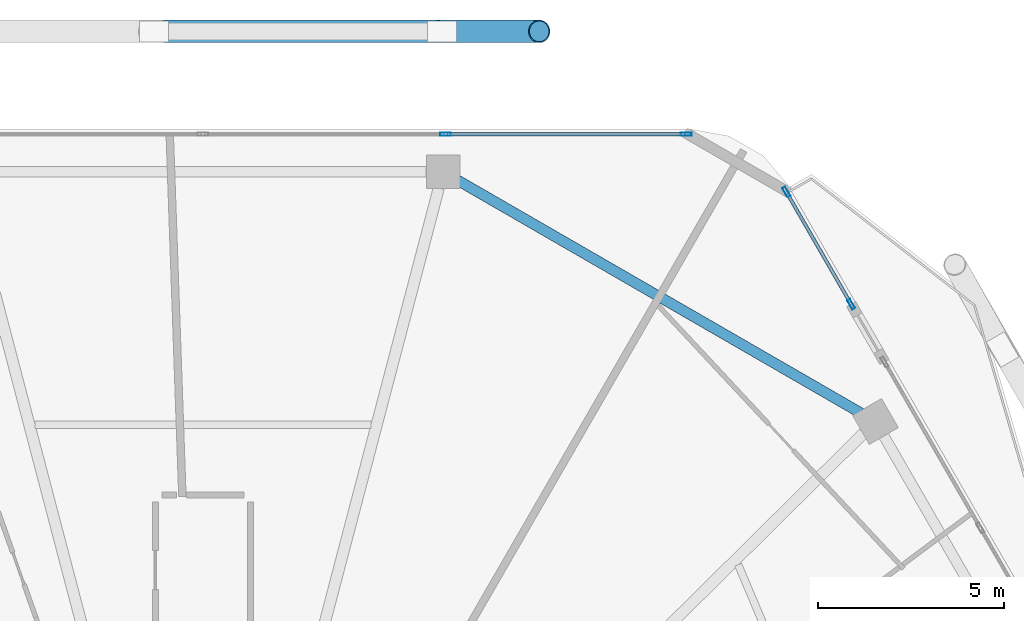
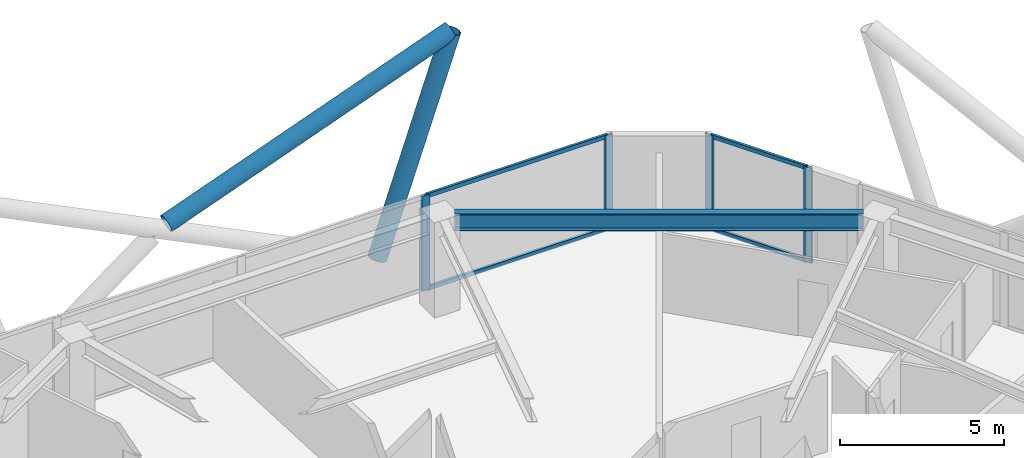
# One storey, part 18 of 27: 10 members, 1 beam, 2 elements without a shape of their own.
"""IFC4 building model written with IfcOpenShell, lengths in metres."""

import ifcopenshell
import ifcopenshell.guid

model = None  # the IFC model being written
_history = None  # IfcOwnerHistory: only IFC2X3 demands one
_inside = {}  # id of a spatial element -> (the spatial element, [elements in it])
_under = {}  # id of a project, library or spatial element -> (it, [spatial elements below it])
_declared = {}  # id of a project -> (the project, [libraries it declares])
_typed = {}  # id of a type object -> (the type object, [elements of that type])
_made_of = {}  # id of a material, layer set ... -> (it, [elements and type objects made of it])


def new_model(schema):
    """Start an empty IFC model of exactly this schema.

    Asked for "IFC4X3", IfcOpenShell would pick the latest addendum, in which some entities
    have other attributes; the version numbers below select the first issue.
    IFC2X3 requires an IfcOwnerHistory on every rooted entity: one is made here for all.
    """
    global model, _history
    if schema == "IFC4X3":
        model = ifcopenshell.file(schema_version=(4, 3, 0, 0))
    else:
        model = ifcopenshell.file(schema=schema)
    _inside.clear()
    _under.clear()
    _declared.clear()
    _typed.clear()
    _made_of.clear()
    _history = None
    if model.schema == "IFC2X3":
        org = make("IfcOrganization", Name="unknown")
        user = make(
            "IfcPersonAndOrganization",
            ThePerson=make("IfcPerson", FamilyName="unknown"),
            TheOrganization=org,
        )
        app = make(
            "IfcApplication",
            ApplicationDeveloper=org,
            Version="unknown",
            ApplicationFullName="unknown",
            ApplicationIdentifier="unknown",
        )
        _history = make(
            "IfcOwnerHistory",
            OwningUser=user,
            OwningApplication=app,
            ChangeAction="ADDED",
            CreationDate=0,
        )
    return model


def make(cls, **values):
    """One entity of the class cls with the attributes given. An attribute that is None is left unset."""
    return model.create_entity(
        cls, **{name: value for name, value in values.items() if value is not None}
    )


def rooted(cls, **values):
    """An entity with a GlobalId (a new one), such as an element, a storey or a relation."""
    return make(cls, GlobalId=ifcopenshell.guid.new(), OwnerHistory=_history, **values)


def si_unit(unit_type, name, prefix=None):
    """IfcSIUnit, for example si_unit("LENGTHUNIT", "METRE", prefix="MILLI")."""
    return make("IfcSIUnit", UnitType=unit_type, Prefix=prefix, Name=name)


def assignment(units):
    """IfcUnitAssignment: the units of a project."""
    return None if units is None else make("IfcUnitAssignment", Units=units)


def point(xyz):
    """IfcCartesianPoint."""
    return None if xyz is None else make("IfcCartesianPoint", Coordinates=xyz)


def direction(xyz):
    """IfcDirection."""
    return None if xyz is None else make("IfcDirection", DirectionRatios=xyz)


def frame(location, z_axis=None, x_axis=None):
    """IfcAxis2Placement3D, a coordinate frame: its origin and axes. An axis left out is left unset."""
    return make(
        "IfcAxis2Placement3D",
        Location=point(location),
        Axis=direction(z_axis),
        RefDirection=direction(x_axis),
    )


def frame_2d(location, x_axis=None):
    """IfcAxis2Placement2D, a coordinate frame in the plane: its origin and x axis."""
    return make(
        "IfcAxis2Placement2D", Location=point(location), RefDirection=direction(x_axis)
    )


def origin():
    """The frame at (0, 0, 0) with its axes left unset."""
    return frame((0.0, 0.0, 0.0))


def origin_2d():
    """The frame at (0, 0) in the plane with its x axis left unset."""
    return frame_2d((0.0, 0.0))


def place(relative_to, where):
    """IfcLocalPlacement: puts the frame where relative to a parent placement (None: the world)."""
    return make(
        "IfcLocalPlacement", PlacementRelTo=relative_to, RelativePlacement=where
    )


def context(
    kind, dimensions, precision=None, world=None, true_north=None, identifier=None
):
    """IfcGeometricRepresentationContext, for example the 3D "Model" context."""
    return make(
        "IfcGeometricRepresentationContext",
        ContextIdentifier=identifier,
        ContextType=kind,
        CoordinateSpaceDimension=dimensions,
        Precision=precision,
        WorldCoordinateSystem=world,
        TrueNorth=true_north,
    )


def subcontext(parent, identifier, kind, view, scale=None):
    """IfcGeometricRepresentationSubContext, for example "Body" below "Model"."""
    return make(
        "IfcGeometricRepresentationSubContext",
        ContextIdentifier=identifier,
        ContextType=kind,
        ParentContext=parent,
        TargetScale=scale,
        TargetView=view,
    )


def project(units=None, contexts=None):
    """IfcProject with its units and contexts."""
    return rooted(
        "IfcProject",
        Name="project",
        RepresentationContexts=contexts,
        UnitsInContext=assignment(units),
    )


def spatial(cls, under=None, at=None, **own):
    """A site, building, storey or space (cls), placed at a placement, below another one or the project."""
    s = rooted(cls, ObjectPlacement=at, **own)
    if under is not None:
        _under.setdefault(under.id(), (under, []))[1].append(s)
    return s


def profile(cls, at=None, kind="AREA", **sizes):
    """A parametric profile (cls). Its sizes go by their IFC names, for example OverallWidth=200.0."""
    return make(cls, ProfileType=kind, Position=at, **sizes)


def hollow_rectangle(**sizes):
    """IfcRectangleHollowProfileDef."""
    return profile("IfcRectangleHollowProfileDef", **sizes)


def hollow_circle(**sizes):
    """IfcCircleHollowProfileDef."""
    return profile("IfcCircleHollowProfileDef", **sizes)


def i_section(**sizes):
    """IfcIShapeProfileDef."""
    return profile("IfcIShapeProfileDef", **sizes)


def extrude(swept, where, along, depth):
    """IfcExtrudedAreaSolid: the profile swept, set in the frame where, extruded along a direction by depth."""
    return make(
        "IfcExtrudedAreaSolid",
        SweptArea=swept,
        Position=where,
        ExtrudedDirection=direction(along),
        Depth=depth,
    )


def shape(context_of_items, identifier, shape_type, items):
    """IfcShapeRepresentation: the items that make up one representation, for example the "Body"."""
    return make(
        "IfcShapeRepresentation",
        ContextOfItems=context_of_items,
        RepresentationIdentifier=identifier,
        RepresentationType=shape_type,
        Items=items,
    )


def material(Name=None, Category=None):
    """IfcMaterial."""
    return make("IfcMaterial", Name=Name, Category=Category)


def material_profile(
    of_material, cross_section, Name=None, Category=None, Priority=None
):
    """IfcMaterialProfile: a cross section and its material."""
    return make(
        "IfcMaterialProfile",
        Name=Name,
        Material=of_material,
        Profile=cross_section,
        Priority=Priority,
        Category=Category,
    )


def profile_set(profiles, Name=None, composite=None):
    """IfcMaterialProfileSet."""
    return make(
        "IfcMaterialProfileSet",
        Name=Name,
        MaterialProfiles=profiles,
        CompositeProfile=composite,
    )


def made_of(thing, what):
    """Note that an element or type object is made of a material, layer set ...; save() writes the relation."""
    if what is not None:
        _made_of.setdefault(what.id(), (what, []))[1].append(thing)
    return thing


def type_object(cls, material=None, **own):
    """A type object (cls), such as IfcWallType, which elements share."""
    return made_of(rooted(cls, **own), material)


def element(
    cls,
    number,
    at=None,
    inside=None,
    cuts=None,
    type_object=None,
    material=None,
    context=None,
    identifier="Body",
    shape_type=None,
    held_by="IfcProductDefinitionShape",
    body=None,
    shapes=None,
    **own,
):
    """One element of the class cls, such as IfcWall. Its Tag is "e" and its number.

    at: its placement. inside: the storey or other place that contains it. cuts: it is an
    opening in that element (IfcRelVoidsElement). A single representation is given by context,
    identifier, shape_type and body (its items); several are given by shapes. held_by: the class
    of the entity that holds the representations. save() writes the other relations.
    """
    e = rooted(cls, Tag="e%d" % number, ObjectPlacement=at, **own)
    if body is not None:
        shapes = [shape(context, identifier, shape_type, body)]
    if shapes is not None:
        e.Representation = make(held_by, Representations=shapes)
    if inside is not None:
        _inside.setdefault(inside.id(), (inside, []))[1].append(e)
    if cuts is not None:
        rooted(
            "IfcRelVoidsElement", RelatingBuildingElement=cuts, RelatedOpeningElement=e
        )
    if type_object is not None:
        _typed.setdefault(type_object.id(), (type_object, []))[1].append(e)
    return made_of(e, material)


def aggregate(whole, parts):
    """IfcRelAggregates: a whole, such as a stair, and the parts it consists of."""
    return rooted("IfcRelAggregates", RelatingObject=whole, RelatedObjects=parts)


def save(model, path):
    """Write the relations noted so far, then the file.

    IfcRelAggregates (storeys below a building ...), IfcRelContainedInSpatialStructure (elements
    in a storey), IfcRelDefinesByType, IfcRelAssociatesMaterial and IfcRelDeclares: one each for
    every whole, place, type object, material and project.
    """
    for whole, parts in _under.values():
        aggregate(whole, parts)
    for where, things in _inside.values():
        rooted(
            "IfcRelContainedInSpatialStructure",
            RelatedElements=things,
            RelatingStructure=where,
        )
    for kind, things in _typed.values():
        rooted("IfcRelDefinesByType", RelatedObjects=things, RelatingType=kind)
    for what, things in _made_of.values():
        rooted("IfcRelAssociatesMaterial", RelatedObjects=things, RelatingMaterial=what)
    for by, libraries in _declared.values():
        rooted("IfcRelDeclares", RelatingContext=by, RelatedDefinitions=libraries)
    model.write(path)


model = new_model("IFC4")

# Units and contexts
model_context = context("Model", 3, precision=1e-05, world=origin(), true_north=direction((0.0, 1.0)))
body_context = subcontext(model_context, "Body", "Model", "MODEL_VIEW")
ifc_project = project(units=[si_unit("LENGTHUNIT", "METRE"), si_unit("AREAUNIT", "SQUARE_METRE"), si_unit("VOLUMEUNIT", "CUBIC_METRE"), si_unit("PLANEANGLEUNIT", "RADIAN"), si_unit("MASSUNIT", "GRAM", prefix="KILO")], contexts=[model_context])

# Site, building, storey
site_placement = place(None, origin())
site = spatial("IfcSite", under=ifc_project, at=site_placement, CompositionType="ELEMENT")
building_placement = place(site_placement, origin())
building = spatial("IfcBuilding", under=site, at=building_placement, Name="Zuhravey Tower", CompositionType="ELEMENT")
storey_placement = place(building_placement, frame((0.0, 0.0, 238.800048828125)))
storey = spatial("IfcBuildingStorey", under=building, at=storey_placement, Name="L60", CompositionType="ELEMENT", Elevation=238.800048828125)

# Curtain wall, members
ifc_material_1 = material(Name="Thermally broken anodised aluminium", Category="aluminium")
curtain_wall_type = type_object("IfcCurtainWallType", Name="Zone 3-4 High-Rise Curtain Wall CW4", PredefinedType="NOTDEFINED", material=ifc_material_1)
curtain_wall_1_placement = place(storey_placement, origin())
curtain_wall_1 = element("IfcCurtainWall", 1, at=curtain_wall_1_placement, inside=storey, type_object=curtain_wall_type, Name="L60 CW4 CW-L60-F2-1", PredefinedType="NOTDEFINED")
ifc_material_2 = material(Name="Anodised aluminium", Category="aluminium")
ifc_material_profile_1 = material_profile(ifc_material_2, hollow_rectangle(XDim=0.090087890625, YDim=0.284912109375, WallThickness=0.0048828125, at=origin_2d()), Name="ALU-RHS-90x285x5")
ifc_profile_set_1 = profile_set([ifc_material_profile_1], Name="Anodised aluminium")
member_type_1 = type_object("IfcMemberType", Name="Curtain-Wall Mullion 90x180", PredefinedType="MULLION", material=ifc_profile_set_1)
member_1_placement = place(storey_placement, frame((42.50634765625, 57.563720703125, 0.0), z_axis=(0.0, 0.0, 1.0), x_axis=(0.0, 1.0, 0.0)))
member_1 = element("IfcMember", 2, at=member_1_placement, type_object=member_type_1, Name="CW4 mullion 4", PredefinedType="MULLION", context=body_context, shape_type="SweptSolid", body=[
    extrude(hollow_rectangle(XDim=0.090087890625, YDim=0.284912109375, WallThickness=0.0048828125, at=origin_2d()), origin(), (0.0, 0.0, 1.0), 3.550048828125),
])
member_2_placement = place(storey_placement, frame((48.9677734375, 57.563720703125, 0.0), z_axis=(0.0, 0.0, 1.0), x_axis=(0.0, 1.0, 0.0)))
member_2 = element("IfcMember", 3, at=member_2_placement, type_object=member_type_1, Name="CW4 mullion 5", PredefinedType="MULLION", context=body_context, shape_type="SweptSolid", body=[
    extrude(hollow_rectangle(XDim=0.090087890625, YDim=0.284912109375, WallThickness=0.0048828125, at=origin_2d()), origin(), (0.0, 0.0, 1.0), 3.550048828125),
])

curtain_wall_2_placement = place(storey_placement, origin())
curtain_wall_2 = element("IfcCurtainWall", 4, at=curtain_wall_2_placement, inside=storey, type_object=curtain_wall_type, Name="L60 CW4 CW-L60-F1-1", PredefinedType="NOTDEFINED")
member_3_placement = place(storey_placement, frame((51.65478515625, 56.01220703125, 0.0), z_axis=(0.0, 0.0, 1.0), x_axis=(0.866024519617, 0.50000153142, 0.0)))
member_3 = element("IfcMember", 5, at=member_3_placement, type_object=member_type_1, Name="CW4 mullion 1", PredefinedType="MULLION", context=body_context, shape_type="SweptSolid", body=[
    extrude(hollow_rectangle(XDim=0.090087890625, YDim=0.284912109375, WallThickness=0.0048828125, at=origin_2d()), origin(), (0.0, 0.0, 1.0), 3.550048828125),
])
member_4_placement = place(storey_placement, frame((53.393310546875, 53.0009765625, 0.0), z_axis=(0.0, 0.0, 1.0), x_axis=(0.866024519617, 0.50000153142, 0.0)))
member_4 = element("IfcMember", 6, at=member_4_placement, type_object=member_type_1, Name="CW4 mullion 2", PredefinedType="MULLION", context=body_context, shape_type="SweptSolid", body=[
    extrude(hollow_rectangle(XDim=0.090087890625, YDim=0.284912109375, WallThickness=0.0048828125, at=origin_2d()), origin(), (0.0, 0.0, 1.0), 3.550048828125),
])

# Member
ifc_material_profile_2 = material_profile(ifc_material_2, hollow_rectangle(XDim=0.090087890625, YDim=0.14990234375, WallThickness=0.0048828125, at=origin_2d()), Name="ALU-RHS-90x150x5")
ifc_profile_set_2 = profile_set([ifc_material_profile_2], Name="Anodised aluminium")
member_type_2 = type_object("IfcMemberType", Name="Curtain-Wall Transom 90x150", PredefinedType="USERDEFINED", material=ifc_profile_set_2)
member_5_placement = place(storey_placement, frame((42.55126953125, 57.563720703125, 0.044921875), z_axis=(1.0, 0.0, 0.0), x_axis=(0.0, 1.0, 0.0)))
member_5 = element("IfcMember", 7, at=member_5_placement, type_object=member_type_2, Name="CW4 transom 4.1", ObjectType="TRANSOM", PredefinedType="USERDEFINED", context=body_context, shape_type="SweptSolid", body=[
    extrude(hollow_rectangle(XDim=0.090087890625, YDim=0.14990234375, WallThickness=0.0048828125, at=origin_2d()), origin(), (0.0, 0.0, 1.0), 6.371337890625),
])

member_6_placement = place(storey_placement, frame((42.55126953125, 57.563720703125, 3.5048828125), z_axis=(1.0, 0.0, 0.0), x_axis=(0.0, 1.0, 0.0)))
member_6 = element("IfcMember", 8, at=member_6_placement, type_object=member_type_2, Name="CW4 transom 4.2", ObjectType="TRANSOM", PredefinedType="USERDEFINED", context=body_context, shape_type="SweptSolid", body=[
    extrude(hollow_rectangle(XDim=0.090087890625, YDim=0.14990234375, WallThickness=0.0048828125, at=origin_2d()), origin(), (0.0, 0.0, 1.0), 6.371337890625),
])

aggregate(curtain_wall_1, [member_1, member_2, member_5, member_6])

member_7_placement = place(storey_placement, frame((51.677490234375, 55.97314453125, 0.044921875), z_axis=(0.499984530349, -0.866034335007, 0.0), x_axis=(0.866034335007, 0.499984530349, 0.0)))
member_7 = element("IfcMember", 9, at=member_7_placement, type_object=member_type_2, Name="CW4 transom 1.1", ObjectType="TRANSOM", PredefinedType="USERDEFINED", context=body_context, shape_type="SweptSolid", body=[
    extrude(hollow_rectangle(XDim=0.090087890625, YDim=0.14990234375, WallThickness=0.0048828125, at=origin_2d()), origin(), (0.0, 0.0, 1.0), 3.38671875),
])

member_8_placement = place(storey_placement, frame((51.677490234375, 55.97314453125, 3.5048828125), z_axis=(0.499984530349, -0.866034335007, 0.0), x_axis=(0.866034335007, 0.499984530349, 0.0)))
member_8 = element("IfcMember", 10, at=member_8_placement, type_object=member_type_2, Name="CW4 transom 1.2", ObjectType="TRANSOM", PredefinedType="USERDEFINED", context=body_context, shape_type="SweptSolid", body=[
    extrude(hollow_rectangle(XDim=0.090087890625, YDim=0.14990234375, WallThickness=0.0048828125, at=origin_2d()), origin(), (0.0, 0.0, 1.0), 3.38671875),
])

aggregate(curtain_wall_2, [member_3, member_4, member_7, member_8])

# Members
ifc_material_3 = material(Name="Steel SM355", Category="steel")
ifc_material_profile_3 = material_profile(ifc_material_3, hollow_circle(Radius=0.3046875, WallThickness=0.028076171875, at=origin_2d()), Name="CHS-609.6x28")
ifc_profile_set_3 = profile_set([ifc_material_profile_3], Name="Steel SM355")
member_type_3 = type_object("IfcMemberType", Name="Exoskeleton Zone 3 Diagrid CHS610x28", PredefinedType="BRACE", material=ifc_profile_set_3)
member_9_placement = place(storey_placement, frame((42.413818359375, 60.323486328125, -0.446044921875), z_axis=(0.326060268586, 0.0, 0.945348983841), x_axis=(0.0, 1.0, 0.0)))
element("IfcMember", 11, at=member_9_placement, inside=storey, type_object=member_type_3, Name="L60 Face 2 Diagrid Brace 1", PredefinedType="BRACE", context=body_context, shape_type="SweptSolid", body=[
    extrude(hollow_circle(Radius=0.3046875, WallThickness=0.028076171875, at=origin_2d()), origin(), (0.0, 0.0, 1.0), 8.001220703125),
])
member_10_placement = place(storey_placement, frame((34.96630859375, 60.323486328125, 3.437744140625), z_axis=(0.93861991973, 0.0, 0.344953107373), x_axis=(0.0, 1.0, 0.0)))
element("IfcMember", 12, at=member_10_placement, inside=storey, type_object=member_type_3, Name="L60 Face 2 Split Diagrid Brace 3B", PredefinedType="BRACE", context=body_context, shape_type="SweptSolid", body=[
    extrude(hollow_circle(Radius=0.3046875, WallThickness=0.028076171875, at=origin_2d()), origin(), (0.0, 0.0, 1.0), 10.679931640625),
])

# Beam
ifc_material_profile_4 = material_profile(ifc_material_3, i_section(OverallWidth=0.280029296875, OverallDepth=0.6201171875, WebThickness=0.011962890625, FlangeThickness=0.02001953125, at=origin_2d()), Name="H-620x280x12x20")
ifc_profile_set_4 = profile_set([ifc_material_profile_4], Name="Steel SM355")
beam_type = type_object("IfcBeamType", Name="Perimeter Ring Beam H620x280", PredefinedType="BEAM", material=ifc_profile_set_4)
beam_placement = place(storey_placement, frame((53.6513671875, 50.081298828125, 3.239990234375), z_axis=(-0.866025131093, 0.500000472315, 0.0), x_axis=(-0.500000472315, -0.866025131093, 0.0)))
element("IfcBeam", 13, at=beam_placement, inside=storey, type_object=beam_type, Name="L60 PB3 BM-L60-PB-02", PredefinedType="BEAM", context=body_context, shape_type="SweptSolid", body=[
    extrude(i_section(OverallWidth=0.280029296875, OverallDepth=0.6201171875, WebThickness=0.011962890625, FlangeThickness=0.02001953125, at=origin_2d()), origin(), (0.0, 0.0, 1.0), 12.49169921875),
])

save(model, "model.ifc")
